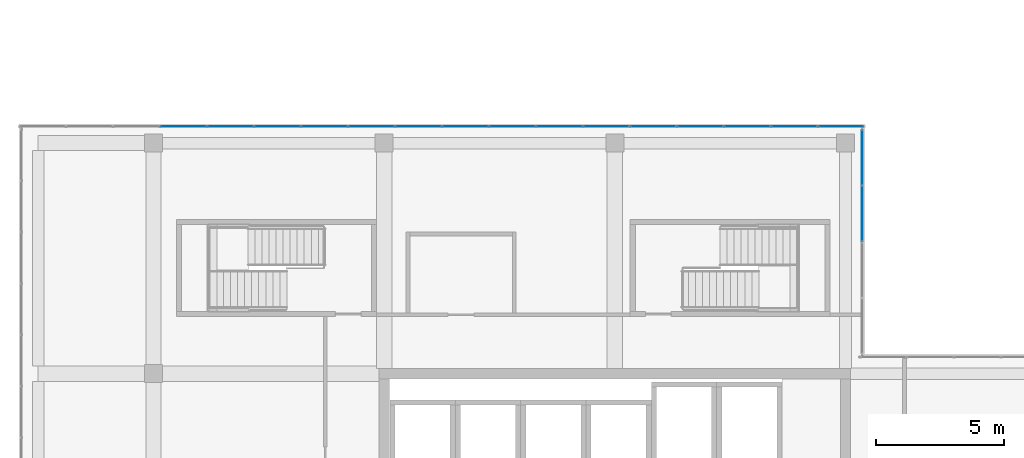
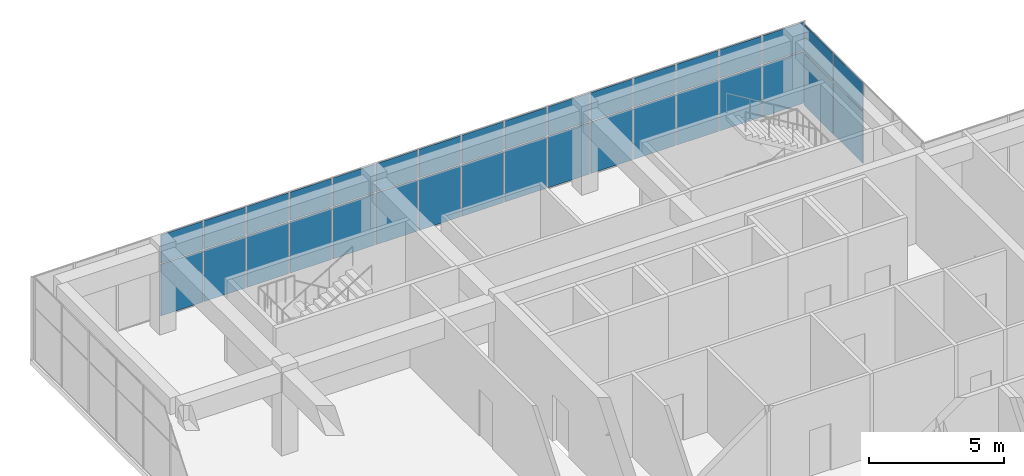
# One storey, part 36 of 43: 34 plates, 2 elements without a shape of their own.
"""IFC4 building model written with IfcOpenShell, lengths in metres."""

from ifc_helpers import new_model, si_unit, direction, frame, origin, origin_2d, place, context, subcontext, project, spatial, rectangle, extrude, material, layer, layer_set, type_object, element, aggregate, save


model = new_model("IFC4")

# Units and contexts
model_context = context("Model", 3, precision=1e-05, world=origin(), true_north=direction((0.0, 1.0)))
body_context = subcontext(model_context, "Body", "Model", "MODEL_VIEW")
ifc_project = project(units=[si_unit("LENGTHUNIT", "METRE"), si_unit("AREAUNIT", "SQUARE_METRE"), si_unit("VOLUMEUNIT", "CUBIC_METRE"), si_unit("PLANEANGLEUNIT", "RADIAN"), si_unit("MASSUNIT", "GRAM", prefix="KILO")], contexts=[model_context])

# Site, building, storey
site_placement = place(None, origin())
site = spatial("IfcSite", under=ifc_project, at=site_placement, CompositionType="ELEMENT")
building_placement = place(site_placement, origin())
building = spatial("IfcBuilding", under=site, at=building_placement, Name="Tuart Plaza Theatre", CompositionType="ELEMENT")
storey_placement = place(building_placement, frame((0.0, 0.0, 33.5)))
storey = spatial("IfcBuildingStorey", under=building, at=storey_placement, Name="L08", CompositionType="ELEMENT", Elevation=33.5)

# Curtain wall, plates
ifc_material_1 = material(Name="Aluminium and glass", Category="aluminium")
ifc_layer_1 = layer(ifc_material_1, 0.10009765625)
ifc_layer_set_1 = layer_set([ifc_layer_1], Name="CURTAIN WALL 2000 module")
curtain_wall_type_1 = type_object("IfcCurtainWallType", Name="CURTAIN WALL 2000 module", PredefinedType="NOTDEFINED", material=ifc_layer_set_1)
curtain_wall_1_placement = place(storey_placement, origin())
curtain_wall_1 = element("IfcCurtainWall", 1, at=curtain_wall_1_placement, inside=storey, type_object=curtain_wall_type_1, Name="CW94", PredefinedType="NOTDEFINED")
ifc_material_2 = material(Name="Glass", Category="glass")
ifc_layer_2 = layer(ifc_material_2, 0.028076171875)
ifc_layer_set_2 = layer_set([ifc_layer_2], Name="CURTAIN PANEL double glazed 28")
plate_type = type_object("IfcPlateType", Name="CURTAIN PANEL double glazed 28", PredefinedType="CURTAIN_PANEL", material=ifc_layer_set_2)
plate_1_placement = place(storey_placement, frame((141.64990234375, 89.25, 0.0498046875), z_axis=(0.0, 0.0, 1.0), x_axis=(0.0, 1.0, 0.0)))
plate_1 = element("IfcPlate", 2, at=plate_1_placement, type_object=plate_type, Name="CW94 panel 3.1", PredefinedType="CURTAIN_PANEL", context=body_context, shape_type="SweptSolid", body=[
    extrude(rectangle(XDim=2.14990234375, YDim=0.028076171875, at=origin_2d()), origin(), (0.0, 0.0, 1.0), 2.324951171875),
])
plate_2_placement = place(storey_placement, frame((141.64990234375, 89.25, 2.425048828125), z_axis=(0.0, 0.0, 1.0), x_axis=(0.0, 1.0, 0.0)))
plate_2 = element("IfcPlate", 3, at=plate_2_placement, type_object=plate_type, Name="CW94 panel 3.2", PredefinedType="CURTAIN_PANEL", context=body_context, shape_type="SweptSolid", body=[
    extrude(rectangle(XDim=2.14990234375, YDim=0.028076171875, at=origin_2d()), origin(), (0.0, 0.0, 1.0), 1.27490234375),
])
plate_3_placement = place(storey_placement, frame((141.64990234375, 91.4375, 0.0498046875), z_axis=(0.0, 0.0, 1.0), x_axis=(0.0, 1.0, 0.0)))
plate_3 = element("IfcPlate", 4, at=plate_3_placement, type_object=plate_type, Name="CW94 panel 4.1", PredefinedType="CURTAIN_PANEL", context=body_context, shape_type="SweptSolid", body=[
    extrude(rectangle(XDim=2.125, YDim=0.028076171875, at=origin_2d()), origin(), (0.0, 0.0, 1.0), 2.324951171875),
])
plate_4_placement = place(storey_placement, frame((141.64990234375, 91.4375, 2.425048828125), z_axis=(0.0, 0.0, 1.0), x_axis=(0.0, 1.0, 0.0)))
plate_4 = element("IfcPlate", 5, at=plate_4_placement, type_object=plate_type, Name="CW94 panel 4.2", PredefinedType="CURTAIN_PANEL", context=body_context, shape_type="SweptSolid", body=[
    extrude(rectangle(XDim=2.125, YDim=0.028076171875, at=origin_2d()), origin(), (0.0, 0.0, 1.0), 1.27490234375),
])
aggregate(curtain_wall_1, [plate_1, plate_2, plate_3, plate_4])

ifc_material_3 = material(Name="Aluminium and glass", Category="aluminium")
ifc_layer_3 = layer(ifc_material_3, 0.10009765625)
ifc_layer_set_3 = layer_set([ifc_layer_3], Name="CURTAIN WALL 1800 module")
curtain_wall_type_2 = type_object("IfcCurtainWallType", Name="CURTAIN WALL 1800 module", PredefinedType="NOTDEFINED", material=ifc_layer_set_3)
curtain_wall_2_placement = place(storey_placement, origin())
curtain_wall_2 = element("IfcCurtainWall", 6, at=curtain_wall_2_placement, inside=storey, type_object=curtain_wall_type_2, Name="CW95", PredefinedType="NOTDEFINED")
plate_5_placement = place(storey_placement, frame((140.82080078125, 92.64990234375, 0.0498046875), z_axis=(0.0, 0.0, 1.0), x_axis=(-1.0, 0.0, 0.0)))
plate_5 = element("IfcPlate", 7, at=plate_5_placement, type_object=plate_type, Name="CW95 panel 1.1", PredefinedType="CURTAIN_PANEL", context=body_context, shape_type="SweptSolid", body=[
    extrude(rectangle(XDim=1.75830078125, YDim=0.028076171875, at=origin_2d()), origin(), (0.0, 0.0, 1.0), 2.324951171875),
])
plate_6_placement = place(storey_placement, frame((140.82080078125, 92.64990234375, 2.425048828125), z_axis=(0.0, 0.0, 1.0), x_axis=(-1.0, 0.0, 0.0)))
plate_6 = element("IfcPlate", 8, at=plate_6_placement, type_object=plate_type, Name="CW95 panel 1.2", PredefinedType="CURTAIN_PANEL", context=body_context, shape_type="SweptSolid", body=[
    extrude(rectangle(XDim=1.75830078125, YDim=0.028076171875, at=origin_2d()), origin(), (0.0, 0.0, 1.0), 1.27490234375),
])
plate_7_placement = place(storey_placement, frame((139.0, 92.64990234375, 0.0498046875), z_axis=(0.0, 0.0, 1.0), x_axis=(-1.0, 0.0, 0.0)))
plate_7 = element("IfcPlate", 9, at=plate_7_placement, type_object=plate_type, Name="CW95 panel 2.1", PredefinedType="CURTAIN_PANEL", context=body_context, shape_type="SweptSolid", body=[
    extrude(rectangle(XDim=1.783447265625, YDim=0.028076171875, at=origin_2d()), origin(), (0.0, 0.0, 1.0), 2.324951171875),
])
plate_8_placement = place(storey_placement, frame((139.0, 92.64990234375, 2.425048828125), z_axis=(0.0, 0.0, 1.0), x_axis=(-1.0, 0.0, 0.0)))
plate_8 = element("IfcPlate", 10, at=plate_8_placement, type_object=plate_type, Name="CW95 panel 2.2", PredefinedType="CURTAIN_PANEL", context=body_context, shape_type="SweptSolid", body=[
    extrude(rectangle(XDim=1.783447265625, YDim=0.028076171875, at=origin_2d()), origin(), (0.0, 0.0, 1.0), 1.27490234375),
])
plate_9_placement = place(storey_placement, frame((137.166748046875, 92.64990234375, 0.0498046875), z_axis=(0.0, 0.0, 1.0), x_axis=(-1.0, 0.0, 0.0)))
plate_9 = element("IfcPlate", 11, at=plate_9_placement, type_object=plate_type, Name="CW95 panel 3.1", PredefinedType="CURTAIN_PANEL", context=body_context, shape_type="SweptSolid", body=[
    extrude(rectangle(XDim=1.783447265625, YDim=0.028076171875, at=origin_2d()), origin(), (0.0, 0.0, 1.0), 2.324951171875),
])
plate_10_placement = place(storey_placement, frame((137.166748046875, 92.64990234375, 2.425048828125), z_axis=(0.0, 0.0, 1.0), x_axis=(-1.0, 0.0, 0.0)))
plate_10 = element("IfcPlate", 12, at=plate_10_placement, type_object=plate_type, Name="CW95 panel 3.2", PredefinedType="CURTAIN_PANEL", context=body_context, shape_type="SweptSolid", body=[
    extrude(rectangle(XDim=1.783447265625, YDim=0.028076171875, at=origin_2d()), origin(), (0.0, 0.0, 1.0), 1.27490234375),
])
plate_11_placement = place(storey_placement, frame((135.333251953125, 92.64990234375, 0.0498046875), z_axis=(0.0, 0.0, 1.0), x_axis=(-1.0, 0.0, 0.0)))
plate_11 = element("IfcPlate", 13, at=plate_11_placement, type_object=plate_type, Name="CW95 panel 4.1", PredefinedType="CURTAIN_PANEL", context=body_context, shape_type="SweptSolid", body=[
    extrude(rectangle(XDim=1.783447265625, YDim=0.028076171875, at=origin_2d()), origin(), (0.0, 0.0, 1.0), 2.324951171875),
])
plate_12_placement = place(storey_placement, frame((135.333251953125, 92.64990234375, 2.425048828125), z_axis=(0.0, 0.0, 1.0), x_axis=(-1.0, 0.0, 0.0)))
plate_12 = element("IfcPlate", 14, at=plate_12_placement, type_object=plate_type, Name="CW95 panel 4.2", PredefinedType="CURTAIN_PANEL", context=body_context, shape_type="SweptSolid", body=[
    extrude(rectangle(XDim=1.783447265625, YDim=0.028076171875, at=origin_2d()), origin(), (0.0, 0.0, 1.0), 1.27490234375),
])
plate_13_placement = place(storey_placement, frame((133.5, 92.64990234375, 0.0498046875), z_axis=(0.0, 0.0, 1.0), x_axis=(-1.0, 0.0, 0.0)))
plate_13 = element("IfcPlate", 15, at=plate_13_placement, type_object=plate_type, Name="CW95 panel 5.1", PredefinedType="CURTAIN_PANEL", context=body_context, shape_type="SweptSolid", body=[
    extrude(rectangle(XDim=1.783447265625, YDim=0.028076171875, at=origin_2d()), origin(), (0.0, 0.0, 1.0), 2.324951171875),
])
plate_14_placement = place(storey_placement, frame((133.5, 92.64990234375, 2.425048828125), z_axis=(0.0, 0.0, 1.0), x_axis=(-1.0, 0.0, 0.0)))
plate_14 = element("IfcPlate", 16, at=plate_14_placement, type_object=plate_type, Name="CW95 panel 5.2", PredefinedType="CURTAIN_PANEL", context=body_context, shape_type="SweptSolid", body=[
    extrude(rectangle(XDim=1.783447265625, YDim=0.028076171875, at=origin_2d()), origin(), (0.0, 0.0, 1.0), 1.27490234375),
])
plate_15_placement = place(storey_placement, frame((131.666748046875, 92.64990234375, 0.0498046875), z_axis=(0.0, 0.0, 1.0), x_axis=(-1.0, 0.0, 0.0)))
plate_15 = element("IfcPlate", 17, at=plate_15_placement, type_object=plate_type, Name="CW95 panel 6.1", PredefinedType="CURTAIN_PANEL", context=body_context, shape_type="SweptSolid", body=[
    extrude(rectangle(XDim=1.783447265625, YDim=0.028076171875, at=origin_2d()), origin(), (0.0, 0.0, 1.0), 2.324951171875),
])
plate_16_placement = place(storey_placement, frame((131.666748046875, 92.64990234375, 2.425048828125), z_axis=(0.0, 0.0, 1.0), x_axis=(-1.0, 0.0, 0.0)))
plate_16 = element("IfcPlate", 18, at=plate_16_placement, type_object=plate_type, Name="CW95 panel 6.2", PredefinedType="CURTAIN_PANEL", context=body_context, shape_type="SweptSolid", body=[
    extrude(rectangle(XDim=1.783447265625, YDim=0.028076171875, at=origin_2d()), origin(), (0.0, 0.0, 1.0), 1.27490234375),
])
plate_17_placement = place(storey_placement, frame((129.833251953125, 92.64990234375, 0.0498046875), z_axis=(0.0, 0.0, 1.0), x_axis=(-1.0, 0.0, 0.0)))
plate_17 = element("IfcPlate", 19, at=plate_17_placement, type_object=plate_type, Name="CW95 panel 7.1", PredefinedType="CURTAIN_PANEL", context=body_context, shape_type="SweptSolid", body=[
    extrude(rectangle(XDim=1.783447265625, YDim=0.028076171875, at=origin_2d()), origin(), (0.0, 0.0, 1.0), 2.324951171875),
])
plate_18_placement = place(storey_placement, frame((129.833251953125, 92.64990234375, 2.425048828125), z_axis=(0.0, 0.0, 1.0), x_axis=(-1.0, 0.0, 0.0)))
plate_18 = element("IfcPlate", 20, at=plate_18_placement, type_object=plate_type, Name="CW95 panel 7.2", PredefinedType="CURTAIN_PANEL", context=body_context, shape_type="SweptSolid", body=[
    extrude(rectangle(XDim=1.783447265625, YDim=0.028076171875, at=origin_2d()), origin(), (0.0, 0.0, 1.0), 1.27490234375),
])
plate_19_placement = place(storey_placement, frame((128.0, 92.64990234375, 0.0498046875), z_axis=(0.0, 0.0, 1.0), x_axis=(-1.0, 0.0, 0.0)))
plate_19 = element("IfcPlate", 21, at=plate_19_placement, type_object=plate_type, Name="CW95 panel 8.1", PredefinedType="CURTAIN_PANEL", context=body_context, shape_type="SweptSolid", body=[
    extrude(rectangle(XDim=1.783447265625, YDim=0.028076171875, at=origin_2d()), origin(), (0.0, 0.0, 1.0), 2.324951171875),
])
plate_20_placement = place(storey_placement, frame((128.0, 92.64990234375, 2.425048828125), z_axis=(0.0, 0.0, 1.0), x_axis=(-1.0, 0.0, 0.0)))
plate_20 = element("IfcPlate", 22, at=plate_20_placement, type_object=plate_type, Name="CW95 panel 8.2", PredefinedType="CURTAIN_PANEL", context=body_context, shape_type="SweptSolid", body=[
    extrude(rectangle(XDim=1.783447265625, YDim=0.028076171875, at=origin_2d()), origin(), (0.0, 0.0, 1.0), 1.27490234375),
])
plate_21_placement = place(storey_placement, frame((126.166748046875, 92.64990234375, 0.0498046875), z_axis=(0.0, 0.0, 1.0), x_axis=(-1.0, 0.0, 0.0)))
plate_21 = element("IfcPlate", 23, at=plate_21_placement, type_object=plate_type, Name="CW95 panel 9.1", PredefinedType="CURTAIN_PANEL", context=body_context, shape_type="SweptSolid", body=[
    extrude(rectangle(XDim=1.783447265625, YDim=0.028076171875, at=origin_2d()), origin(), (0.0, 0.0, 1.0), 2.324951171875),
])
plate_22_placement = place(storey_placement, frame((126.166748046875, 92.64990234375, 2.425048828125), z_axis=(0.0, 0.0, 1.0), x_axis=(-1.0, 0.0, 0.0)))
plate_22 = element("IfcPlate", 24, at=plate_22_placement, type_object=plate_type, Name="CW95 panel 9.2", PredefinedType="CURTAIN_PANEL", context=body_context, shape_type="SweptSolid", body=[
    extrude(rectangle(XDim=1.783447265625, YDim=0.028076171875, at=origin_2d()), origin(), (0.0, 0.0, 1.0), 1.27490234375),
])
plate_23_placement = place(storey_placement, frame((124.333251953125, 92.64990234375, 0.0498046875), z_axis=(0.0, 0.0, 1.0), x_axis=(-1.0, 0.0, 0.0)))
plate_23 = element("IfcPlate", 25, at=plate_23_placement, type_object=plate_type, Name="CW95 panel 10.1", PredefinedType="CURTAIN_PANEL", context=body_context, shape_type="SweptSolid", body=[
    extrude(rectangle(XDim=1.783447265625, YDim=0.028076171875, at=origin_2d()), origin(), (0.0, 0.0, 1.0), 2.324951171875),
])
plate_24_placement = place(storey_placement, frame((124.333251953125, 92.64990234375, 2.425048828125), z_axis=(0.0, 0.0, 1.0), x_axis=(-1.0, 0.0, 0.0)))
plate_24 = element("IfcPlate", 26, at=plate_24_placement, type_object=plate_type, Name="CW95 panel 10.2", PredefinedType="CURTAIN_PANEL", context=body_context, shape_type="SweptSolid", body=[
    extrude(rectangle(XDim=1.783447265625, YDim=0.028076171875, at=origin_2d()), origin(), (0.0, 0.0, 1.0), 1.27490234375),
])
plate_25_placement = place(storey_placement, frame((122.5, 92.64990234375, 0.0498046875), z_axis=(0.0, 0.0, 1.0), x_axis=(-1.0, 0.0, 0.0)))
plate_25 = element("IfcPlate", 27, at=plate_25_placement, type_object=plate_type, Name="CW95 panel 11.1", PredefinedType="CURTAIN_PANEL", context=body_context, shape_type="SweptSolid", body=[
    extrude(rectangle(XDim=1.783447265625, YDim=0.028076171875, at=origin_2d()), origin(), (0.0, 0.0, 1.0), 2.324951171875),
])
plate_26_placement = place(storey_placement, frame((122.5, 92.64990234375, 2.425048828125), z_axis=(0.0, 0.0, 1.0), x_axis=(-1.0, 0.0, 0.0)))
plate_26 = element("IfcPlate", 28, at=plate_26_placement, type_object=plate_type, Name="CW95 panel 11.2", PredefinedType="CURTAIN_PANEL", context=body_context, shape_type="SweptSolid", body=[
    extrude(rectangle(XDim=1.783447265625, YDim=0.028076171875, at=origin_2d()), origin(), (0.0, 0.0, 1.0), 1.27490234375),
])
plate_27_placement = place(storey_placement, frame((120.666748046875, 92.64990234375, 0.0498046875), z_axis=(0.0, 0.0, 1.0), x_axis=(-1.0, 0.0, 0.0)))
plate_27 = element("IfcPlate", 29, at=plate_27_placement, type_object=plate_type, Name="CW95 panel 12.1", PredefinedType="CURTAIN_PANEL", context=body_context, shape_type="SweptSolid", body=[
    extrude(rectangle(XDim=1.783447265625, YDim=0.028076171875, at=origin_2d()), origin(), (0.0, 0.0, 1.0), 2.324951171875),
])
plate_28_placement = place(storey_placement, frame((120.666748046875, 92.64990234375, 2.425048828125), z_axis=(0.0, 0.0, 1.0), x_axis=(-1.0, 0.0, 0.0)))
plate_28 = element("IfcPlate", 30, at=plate_28_placement, type_object=plate_type, Name="CW95 panel 12.2", PredefinedType="CURTAIN_PANEL", context=body_context, shape_type="SweptSolid", body=[
    extrude(rectangle(XDim=1.783447265625, YDim=0.028076171875, at=origin_2d()), origin(), (0.0, 0.0, 1.0), 1.27490234375),
])
plate_29_placement = place(storey_placement, frame((118.833251953125, 92.64990234375, 0.0498046875), z_axis=(0.0, 0.0, 1.0), x_axis=(-1.0, 0.0, 0.0)))
plate_29 = element("IfcPlate", 31, at=plate_29_placement, type_object=plate_type, Name="CW95 panel 13.1", PredefinedType="CURTAIN_PANEL", context=body_context, shape_type="SweptSolid", body=[
    extrude(rectangle(XDim=1.783447265625, YDim=0.028076171875, at=origin_2d()), origin(), (0.0, 0.0, 1.0), 2.324951171875),
])
plate_30_placement = place(storey_placement, frame((118.833251953125, 92.64990234375, 2.425048828125), z_axis=(0.0, 0.0, 1.0), x_axis=(-1.0, 0.0, 0.0)))
plate_30 = element("IfcPlate", 32, at=plate_30_placement, type_object=plate_type, Name="CW95 panel 13.2", PredefinedType="CURTAIN_PANEL", context=body_context, shape_type="SweptSolid", body=[
    extrude(rectangle(XDim=1.783447265625, YDim=0.028076171875, at=origin_2d()), origin(), (0.0, 0.0, 1.0), 1.27490234375),
])
plate_31_placement = place(storey_placement, frame((117.0, 92.64990234375, 0.0498046875), z_axis=(0.0, 0.0, 1.0), x_axis=(-1.0, 0.0, 0.0)))
plate_31 = element("IfcPlate", 33, at=plate_31_placement, type_object=plate_type, Name="CW95 panel 14.1", PredefinedType="CURTAIN_PANEL", context=body_context, shape_type="SweptSolid", body=[
    extrude(rectangle(XDim=1.783447265625, YDim=0.028076171875, at=origin_2d()), origin(), (0.0, 0.0, 1.0), 2.324951171875),
])
plate_32_placement = place(storey_placement, frame((117.0, 92.64990234375, 2.425048828125), z_axis=(0.0, 0.0, 1.0), x_axis=(-1.0, 0.0, 0.0)))
plate_32 = element("IfcPlate", 34, at=plate_32_placement, type_object=plate_type, Name="CW95 panel 14.2", PredefinedType="CURTAIN_PANEL", context=body_context, shape_type="SweptSolid", body=[
    extrude(rectangle(XDim=1.783447265625, YDim=0.028076171875, at=origin_2d()), origin(), (0.0, 0.0, 1.0), 1.27490234375),
])
plate_33_placement = place(storey_placement, frame((115.166748046875, 92.64990234375, 0.0498046875), z_axis=(0.0, 0.0, 1.0), x_axis=(-1.0, 0.0, 0.0)))
plate_33 = element("IfcPlate", 35, at=plate_33_placement, type_object=plate_type, Name="CW95 panel 15.1", PredefinedType="CURTAIN_PANEL", context=body_context, shape_type="SweptSolid", body=[
    extrude(rectangle(XDim=1.783447265625, YDim=0.028076171875, at=origin_2d()), origin(), (0.0, 0.0, 1.0), 2.324951171875),
])
plate_34_placement = place(storey_placement, frame((115.166748046875, 92.64990234375, 2.425048828125), z_axis=(0.0, 0.0, 1.0), x_axis=(-1.0, 0.0, 0.0)))
plate_34 = element("IfcPlate", 36, at=plate_34_placement, type_object=plate_type, Name="CW95 panel 15.2", PredefinedType="CURTAIN_PANEL", context=body_context, shape_type="SweptSolid", body=[
    extrude(rectangle(XDim=1.783447265625, YDim=0.028076171875, at=origin_2d()), origin(), (0.0, 0.0, 1.0), 1.27490234375),
])
aggregate(curtain_wall_2, [plate_5, plate_6, plate_7, plate_8, plate_9, plate_10, plate_11, plate_12, plate_13, plate_14, plate_15, plate_16, plate_17, plate_18, plate_19, plate_20, plate_21, plate_22, plate_23, plate_24, plate_25, plate_26, plate_27, plate_28, plate_29, plate_30, plate_31, plate_32, plate_33, plate_34])

save(model, "model.ifc")
